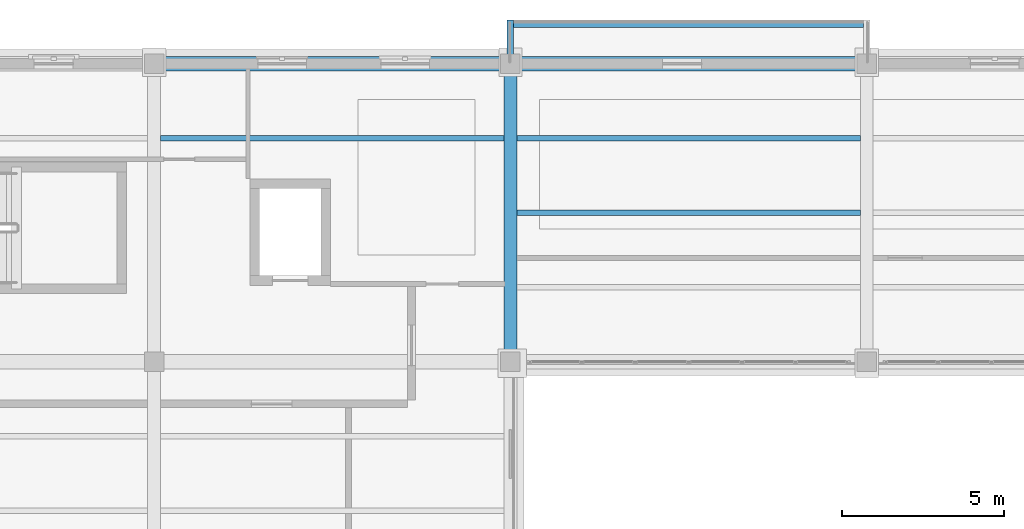
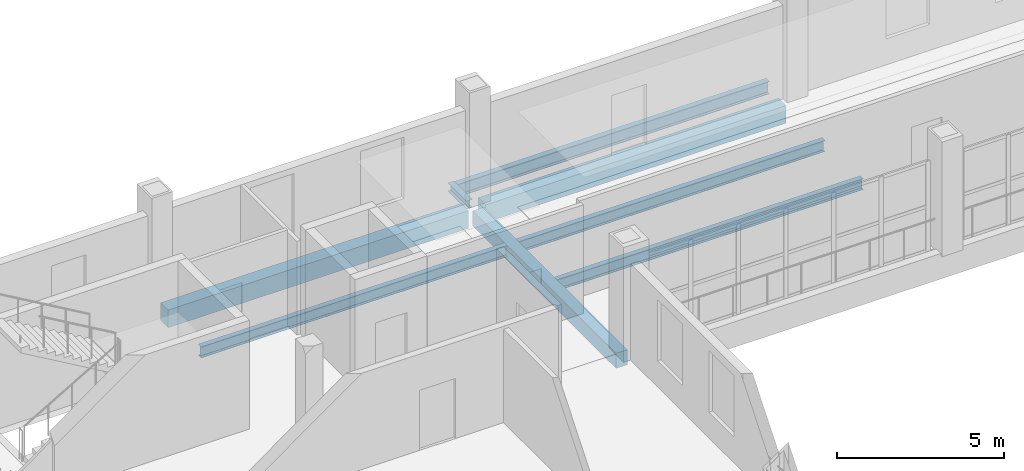
# One storey, part 62 of 120: 8 beams.
"""IFC4 building model written with IfcOpenShell, lengths in metres."""

from ifc_helpers import new_model, si_unit, direction, frame, origin, origin_2d, place, context, subcontext, project, spatial, rectangle, i_section, extrude, material, material_profile, profile_set, type_object, element, save


model = new_model("IFC4")

# Units and contexts
model_context = context("Model", 3, precision=1e-05, world=origin(), true_north=direction((0.0, 1.0)))
body_context = subcontext(model_context, "Body", "Model", "MODEL_VIEW")
ifc_project = project(units=[si_unit("LENGTHUNIT", "METRE"), si_unit("AREAUNIT", "SQUARE_METRE"), si_unit("VOLUMEUNIT", "CUBIC_METRE"), si_unit("PLANEANGLEUNIT", "RADIAN"), si_unit("MASSUNIT", "GRAM", prefix="KILO")], contexts=[model_context])

# Site, building, storey
site_placement = place(None, origin())
site = spatial("IfcSite", under=ifc_project, at=site_placement, CompositionType="ELEMENT")
building_placement = place(site_placement, origin())
building = spatial("IfcBuilding", under=site, at=building_placement, Name="Caurita Quay Ferry Terminal", CompositionType="ELEMENT")
storey_placement = place(building_placement, frame((0.0, 0.0, 9.89990234375)))
storey = spatial("IfcBuildingStorey", under=building, at=storey_placement, Name="L02", CompositionType="ELEMENT", Elevation=9.89990234375)

# Beams
ifc_material_1 = material(Name="Structural steel ASTM A992 Gr. 50", Category="steel")
ifc_material_profile_1 = material_profile(ifc_material_1, i_section(OverallWidth=0.193115234375, OverallDepth=0.46728515625, WebThickness=0.011474609375, FlangeThickness=0.01904296875, FilletRadius=0.0126953125, at=origin_2d()), Name="W18X65")
ifc_profile_set_1 = profile_set([ifc_material_profile_1], Name="Structural steel ASTM A992 Gr. 50")
beam_type_1 = type_object("IfcBeamType", Name="BM-GR-W18A", PredefinedType="BEAM", material=ifc_profile_set_1)
beam_1_placement = place(storey_placement, frame((22.102294921875, 118.219970703125, -0.45361328125), z_axis=(1.0, 0.0, 0.0), x_axis=(0.0, 1.0, 0.0)))
element("IfcBeam", 1, at=beam_1_placement, inside=storey, type_object=beam_type_1, Name="L02 Balcony Front Edge Beam 12", PredefinedType="BEAM", context=body_context, shape_type="SweptSolid", body=[
    extrude(i_section(OverallWidth=0.193115234375, OverallDepth=0.46728515625, WebThickness=0.011474609375, FlangeThickness=0.01904296875, FilletRadius=0.0126953125, at=origin_2d()), origin(), (0.0, 0.0, 1.0), 10.79541015625),
])
ifc_material_profile_2 = material_profile(ifc_material_1, i_section(OverallWidth=0.1787109375, OverallDepth=0.408935546875, WebThickness=0.0087890625, FlangeThickness=0.014404296875, FilletRadius=0.011474609375, at=origin_2d()), Name="W16X45")
ifc_profile_set_2 = profile_set([ifc_material_profile_2], Name="Structural steel ASTM A992 Gr. 50")
beam_type_2 = type_object("IfcBeamType", Name="BM-JS-W16A", PredefinedType="JOIST", material=ifc_profile_set_2)
for number, where, z_axis, x_axis, name in (
    (2, (11.199951171875, 114.699951171875, -0.42431640625), (1.0, 0.0, 0.0), (0.0, 1.0, 0.0), "L02 Beam JS-V5-L02-022"),
    (3, (22.199951171875, 112.39990234375, -0.42431640625), (1.0, 0.0, 0.0), (0.0, 1.0, 0.0), "L02 Beam JS-V5-L02-026"),
    (4, (22.199951171875, 114.699951171875, -0.42431640625), (1.0, 0.0, 0.0), (0.0, 1.0, 0.0), "L02 Beam JS-V5-L02-027"),
):
    element("IfcBeam", number, at=place(storey_placement, frame(where, z_axis=z_axis, x_axis=x_axis)), inside=storey, type_object=beam_type_2, Name=name, PredefinedType="JOIST", context=body_context, shape_type="SweptSolid", body=[
        extrude(i_section(OverallWidth=0.1787109375, OverallDepth=0.408935546875, WebThickness=0.0087890625, FlangeThickness=0.014404296875, FilletRadius=0.011474609375, at=origin_2d()), origin(), (0.0, 0.0, 1.0), 10.60009765625),
    ])
ifc_material_profile_3 = material_profile(ifc_material_1, i_section(OverallWidth=0.20458984375, OverallDepth=0.307373046875, WebThickness=0.008544921875, FlangeThickness=0.0146484375, FilletRadius=0.0126953125, at=origin_2d()), Name="W12X45")
ifc_profile_set_3 = profile_set([ifc_material_profile_3], Name="Structural steel ASTM A992 Gr. 50")
beam_type_3 = type_object("IfcBeamType", Name="BM-OUT-W12", PredefinedType="BEAM", material=ifc_profile_set_3)
beam_2_placement = place(storey_placement, frame((22.0, 117.239990234375, -0.37353515625), z_axis=(0.0, 1.0, 0.0), x_axis=(-1.0, 0.0, 0.0)))
element("IfcBeam", 5, at=beam_2_placement, inside=storey, type_object=beam_type_3, Name="L02 Balcony Outrigger Cantilever 15", PredefinedType="BEAM", context=body_context, shape_type="SweptSolid", body=[
    extrude(i_section(OverallWidth=0.20458984375, OverallDepth=0.307373046875, WebThickness=0.008544921875, FlangeThickness=0.0146484375, FilletRadius=0.0126953125, at=origin_2d()), origin(), (0.0, 0.0, 1.0), 1.110107421875),
])
ifc_material_2 = material(Name="Reinforced concrete C35/45", Category="concrete")
ifc_material_profile_4 = material_profile(ifc_material_2, rectangle(XDim=0.39990234375, YDim=0.550048828125, at=origin_2d()), Name="RC-BM-400X550")
ifc_profile_set_4 = profile_set([ifc_material_profile_4], Name="Reinforced concrete C35/45")
beam_type_4 = type_object("IfcBeamType", Name="BM-RC-4055", PredefinedType="BEAM", material=ifc_profile_set_4)
beam_3_placement = place(storey_placement, frame((22.0, 108.097412109375, -0.494873046875), z_axis=(0.0, 1.0, 0.0), x_axis=(-1.0, 0.0, 0.0)))
element("IfcBeam", 6, at=beam_3_placement, inside=storey, type_object=beam_type_4, Name="L02 Beam BM-V5-L02-Y-220-1081", PredefinedType="BEAM", context=body_context, shape_type="SweptSolid", body=[
    extrude(rectangle(XDim=0.39990234375, YDim=0.550048828125, at=origin_2d()), origin(), (0.0, 0.0, 1.0), 8.60498046875),
])
ifc_material_profile_5 = material_profile(ifc_material_2, rectangle(XDim=0.449951171875, YDim=0.64990234375, at=origin_2d()), Name="RC-BM-450X650")
ifc_profile_set_5 = profile_set([ifc_material_profile_5], Name="Reinforced concrete C35/45")
beam_type_5 = type_object("IfcBeamType", Name="BM-RC-4565", PredefinedType="BEAM", material=ifc_profile_set_5)
for number, where, z_axis, x_axis, name in (
    (7, (11.297607421875, 117.0, -0.544921875), (1.0, 0.0, 0.0), (0.0, 1.0, 0.0), "L02 Beam BM-V5-L02-X-113-1170"),
    (8, (22.297607421875, 117.0, -0.544921875), (1.0, 0.0, 0.0), (0.0, 1.0, 0.0), "L02 Beam BM-V5-L02-X-223-1170"),
):
    element("IfcBeam", number, at=place(storey_placement, frame(where, z_axis=z_axis, x_axis=x_axis)), inside=storey, type_object=beam_type_5, Name=name, PredefinedType="BEAM", context=body_context, shape_type="SweptSolid", body=[
        extrude(rectangle(XDim=0.449951171875, YDim=0.64990234375, at=origin_2d()), origin(), (0.0, 0.0, 1.0), 10.40478515625),
    ])

save(model, "model.ifc")
